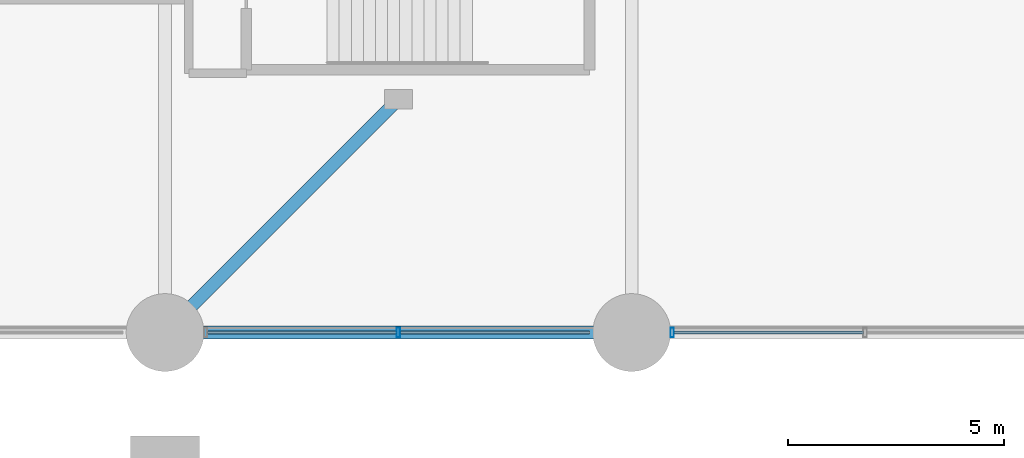
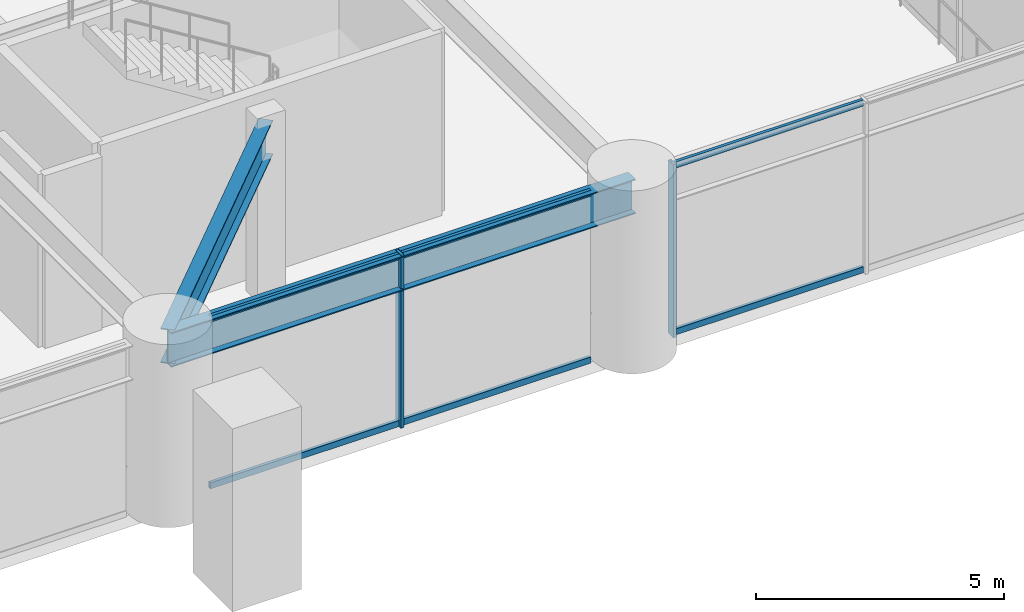
# One storey, part 10 of 31: 8 members, 2 beams, 1 element without a shape of its own.
"""IFC4 building model written with IfcOpenShell, lengths in metres."""

from ifc_helpers import new_model, si_unit, direction, frame, origin, origin_2d, place, context, subcontext, project, spatial, hollow_rectangle, i_section, extrude, material, layer, layer_set, material_profile, profile_set, type_object, element, aggregate, save


model = new_model("IFC4")

# Units and contexts
model_context = context("Model", 3, precision=1e-05, world=origin(), true_north=direction((0.0, 1.0)))
body_context = subcontext(model_context, "Body", "Model", "MODEL_VIEW")
ifc_project = project(units=[si_unit("LENGTHUNIT", "METRE"), si_unit("AREAUNIT", "SQUARE_METRE"), si_unit("VOLUMEUNIT", "CUBIC_METRE"), si_unit("PLANEANGLEUNIT", "RADIAN"), si_unit("MASSUNIT", "GRAM", prefix="KILO")], contexts=[model_context])

# Site, building, storey
site_placement = place(None, origin())
site = spatial("IfcSite", under=ifc_project, at=site_placement, CompositionType="ELEMENT")
building_placement = place(site_placement, origin())
building = spatial("IfcBuilding", under=site, at=building_placement, Name="Surkhivell Harbour Commons", CompositionType="ELEMENT")
storey_placement = place(building_placement, frame((0.0, 0.0, 4.5)))
storey = spatial("IfcBuildingStorey", under=building, at=storey_placement, Name="L01", CompositionType="ELEMENT", Elevation=4.5)

# Beams
ifc_material_1 = material(Name="Steel S460", Category="steel")
ifc_material_profile_1 = material_profile(ifc_material_1, i_section(OverallWidth=0.2939453125, OverallDepth=0.85107421875, WebThickness=0.01611328125, FlangeThickness=0.02685546875, at=origin_2d()), Name="UB838x292x226")
ifc_profile_set_1 = profile_set([ifc_material_profile_1], Name="Steel S460")
beam_type = type_object("IfcBeamType", Name="BM-SPN-838", PredefinedType="SPANDREL", material=ifc_profile_set_1)
beam_1_placement = place(storey_placement, frame((10.800048828125, -21.60009765625, 3.824462890625), z_axis=(0.707090796496, 0.707122765516, 0.0), x_axis=(-0.707122765516, 0.707090796496, 0.0)))
element("IfcBeam", 1, at=beam_1_placement, inside=storey, type_object=beam_type, Name="L01 Framing Beam (10.8,-21.6)", PredefinedType="SPANDREL", context=body_context, shape_type="SweptSolid", body=[
    extrude(i_section(OverallWidth=0.2939453125, OverallDepth=0.85107421875, WebThickness=0.01611328125, FlangeThickness=0.02685546875, at=origin_2d()), origin(), (0.0, 0.0, 1.0), 7.63671875),
])
beam_2_placement = place(storey_placement, frame((10.800048828125, -21.60009765625, 3.824462890625), z_axis=(1.0, 0.0, 0.0), x_axis=(0.0, 1.0, 0.0)))
element("IfcBeam", 2, at=beam_2_placement, inside=storey, type_object=beam_type, Name="L01 Framing Beam (10.8,-21.6)", PredefinedType="SPANDREL", context=body_context, shape_type="SweptSolid", body=[
    extrude(i_section(OverallWidth=0.2939453125, OverallDepth=0.85107421875, WebThickness=0.01611328125, FlangeThickness=0.02685546875, at=origin_2d()), origin(), (0.0, 0.0, 1.0), 10.800048828125),
])

# Curtain wall, members
ifc_material_2 = material(Name="Anodised pale-metal aluminium and insulated glazing", Category="aluminium")
ifc_layer = layer(ifc_material_2, 0.239990234375)
ifc_layer_set = layer_set([ifc_layer], Name="Anodised pale-metal aluminium and insulated glazing")
curtain_wall_type = type_object("IfcCurtainWallType", Name="CW-SYS-POD", PredefinedType="NOTDEFINED", material=ifc_layer_set)
curtain_wall_placement = place(storey_placement, origin())
curtain_wall = element("IfcCurtainWall", 3, at=curtain_wall_placement, inside=storey, type_object=curtain_wall_type, Name="L01 Curtain Wall CW-L01-P01", PredefinedType="NOTDEFINED")
ifc_material_3 = material(Name="Anodised pale-metal aluminium alloy 6063-T6", Category="aluminium")
ifc_material_profile_2 = material_profile(ifc_material_3, hollow_rectangle(XDim=0.074951171875, YDim=0.219970703125, WallThickness=0.00390625, at=origin_2d()), Name="ALU-MULL-75x220")
ifc_profile_set_2 = profile_set([ifc_material_profile_2], Name="Anodised pale-metal aluminium alloy 6063-T6")
member_type_1 = type_object("IfcMemberType", Name="CWM-220", PredefinedType="MULLION", material=ifc_profile_set_2)
member_1_placement = place(storey_placement, frame((16.199951171875, -21.60009765625, 0.0), z_axis=(0.0, 0.0, 1.0), x_axis=(1.0, 0.0, 0.0)))
member_1 = element("IfcMember", 4, at=member_1_placement, type_object=member_type_1, Name="CW-POD mullion 10", PredefinedType="MULLION", context=body_context, shape_type="SweptSolid", body=[
    extrude(hollow_rectangle(XDim=0.074951171875, YDim=0.219970703125, WallThickness=0.00390625, at=origin_2d()), origin(), (0.0, 0.0, 1.0), 4.25),
])
member_2_placement = place(storey_placement, frame((22.53955078125, -21.60009765625, 0.0), z_axis=(0.0, 0.0, 1.0), x_axis=(1.0, 0.0, 0.0)))
member_2 = element("IfcMember", 5, at=member_2_placement, type_object=member_type_1, Name="CW-POD mullion 11", PredefinedType="MULLION", context=body_context, shape_type="SweptSolid", body=[
    extrude(hollow_rectangle(XDim=0.074951171875, YDim=0.219970703125, WallThickness=0.00390625, at=origin_2d()), origin(), (0.0, 0.0, 1.0), 4.25),
])
ifc_material_profile_3 = material_profile(ifc_material_3, hollow_rectangle(XDim=0.074951171875, YDim=0.14990234375, WallThickness=0.00341796875, at=origin_2d()), Name="ALU-TRAN-75x150")
ifc_profile_set_3 = profile_set([ifc_material_profile_3], Name="Anodised pale-metal aluminium alloy 6063-T6")
member_type_2 = type_object("IfcMemberType", Name="CWT-150", PredefinedType="USERDEFINED", material=ifc_profile_set_3)
member_3_placement = place(storey_placement, frame((11.777099609375, -21.60009765625, 0.074951171875), z_axis=(1.0, 0.0, 0.0), x_axis=(0.0, 1.0, 0.0)))
member_3 = element("IfcMember", 6, at=member_3_placement, type_object=member_type_2, Name="CW-POD transom 9.1", ObjectType="TRANSOM", PredefinedType="USERDEFINED", context=body_context, shape_type="SweptSolid", body=[
    extrude(hollow_rectangle(XDim=0.074951171875, YDim=0.14990234375, WallThickness=0.00341796875, at=origin_2d()), origin(), (0.0, 0.0, 1.0), 4.385498046875),
])
member_4_placement = place(storey_placement, frame((11.777099609375, -21.60009765625, 4.175048828125), z_axis=(1.0, 0.0, 0.0), x_axis=(0.0, 1.0, 0.0)))
member_4 = element("IfcMember", 7, at=member_4_placement, type_object=member_type_2, Name="CW-POD transom 9.2", ObjectType="TRANSOM", PredefinedType="USERDEFINED", context=body_context, shape_type="SweptSolid", body=[
    extrude(hollow_rectangle(XDim=0.074951171875, YDim=0.14990234375, WallThickness=0.00341796875, at=origin_2d()), origin(), (0.0, 0.0, 1.0), 4.385498046875),
])
member_5_placement = place(storey_placement, frame((16.237548828125, -21.60009765625, 0.074951171875), z_axis=(1.0, 0.0, 0.0), x_axis=(0.0, 1.0, 0.0)))
member_5 = element("IfcMember", 8, at=member_5_placement, type_object=member_type_2, Name="CW-POD transom 10.1", ObjectType="TRANSOM", PredefinedType="USERDEFINED", context=body_context, shape_type="SweptSolid", body=[
    extrude(hollow_rectangle(XDim=0.074951171875, YDim=0.14990234375, WallThickness=0.00341796875, at=origin_2d()), origin(), (0.0, 0.0, 1.0), 4.385498046875),
])
member_6_placement = place(storey_placement, frame((16.237548828125, -21.60009765625, 4.175048828125), z_axis=(1.0, 0.0, 0.0), x_axis=(0.0, 1.0, 0.0)))
member_6 = element("IfcMember", 9, at=member_6_placement, type_object=member_type_2, Name="CW-POD transom 10.2", ObjectType="TRANSOM", PredefinedType="USERDEFINED", context=body_context, shape_type="SweptSolid", body=[
    extrude(hollow_rectangle(XDim=0.074951171875, YDim=0.14990234375, WallThickness=0.00341796875, at=origin_2d()), origin(), (0.0, 0.0, 1.0), 4.385498046875),
])
member_7_placement = place(storey_placement, frame((22.576904296875, -21.60009765625, 0.074951171875), z_axis=(1.0, 0.0, 0.0), x_axis=(0.0, 1.0, 0.0)))
member_7 = element("IfcMember", 10, at=member_7_placement, type_object=member_type_2, Name="CW-POD transom 11.1", ObjectType="TRANSOM", PredefinedType="USERDEFINED", context=body_context, shape_type="SweptSolid", body=[
    extrude(hollow_rectangle(XDim=0.074951171875, YDim=0.14990234375, WallThickness=0.00341796875, at=origin_2d()), origin(), (0.0, 0.0, 1.0), 4.385498046875),
])
member_8_placement = place(storey_placement, frame((22.576904296875, -21.60009765625, 4.175048828125), z_axis=(1.0, 0.0, 0.0), x_axis=(0.0, 1.0, 0.0)))
member_8 = element("IfcMember", 11, at=member_8_placement, type_object=member_type_2, Name="CW-POD transom 11.2", ObjectType="TRANSOM", PredefinedType="USERDEFINED", context=body_context, shape_type="SweptSolid", body=[
    extrude(hollow_rectangle(XDim=0.074951171875, YDim=0.14990234375, WallThickness=0.00341796875, at=origin_2d()), origin(), (0.0, 0.0, 1.0), 4.385498046875),
])
aggregate(curtain_wall, [member_1, member_3, member_4, member_5, member_6, member_2, member_7, member_8])

save(model, "model.ifc")
